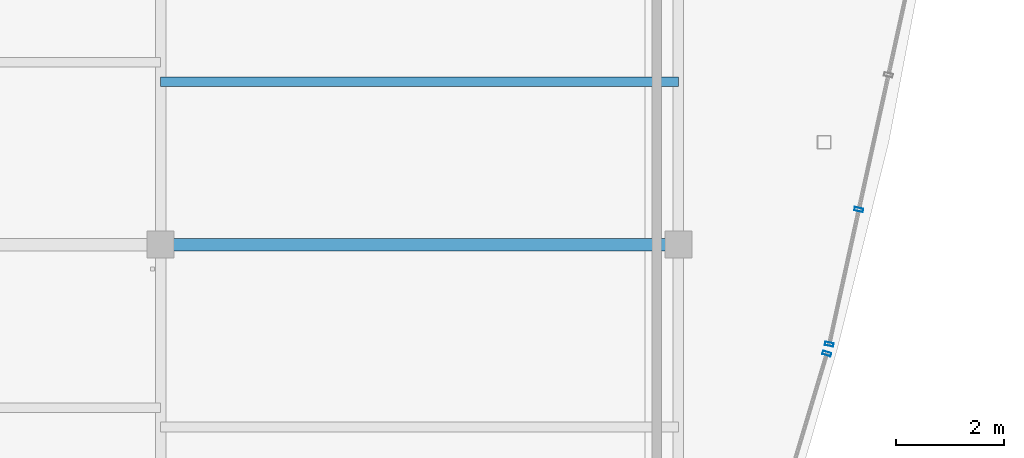
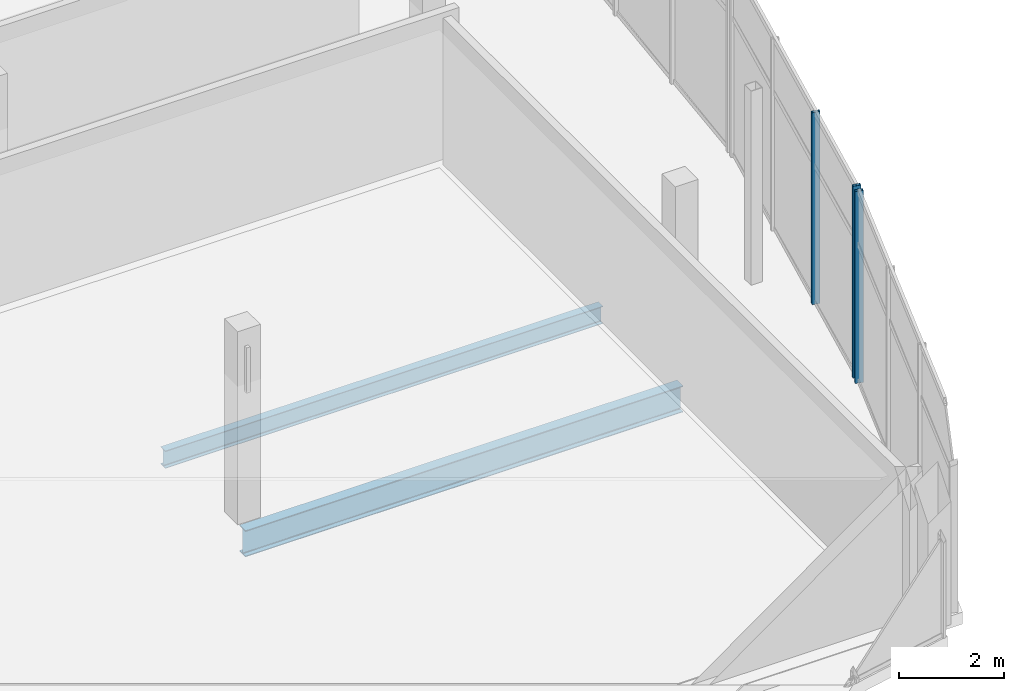
# One storey, part 62 of 114: 3 members, 2 beams, 2 elements without a shape of their own.
"""IFC4 building model written with IfcOpenShell, lengths in metres."""

import ifcopenshell
import ifcopenshell.guid

model = None  # the IFC model being written
_history = None  # IfcOwnerHistory: only IFC2X3 demands one
_inside = {}  # id of a spatial element -> (the spatial element, [elements in it])
_under = {}  # id of a project, library or spatial element -> (it, [spatial elements below it])
_declared = {}  # id of a project -> (the project, [libraries it declares])
_typed = {}  # id of a type object -> (the type object, [elements of that type])
_made_of = {}  # id of a material, layer set ... -> (it, [elements and type objects made of it])


def new_model(schema):
    """Start an empty IFC model of exactly this schema.

    Asked for "IFC4X3", IfcOpenShell would pick the latest addendum, in which some entities
    have other attributes; the version numbers below select the first issue.
    IFC2X3 requires an IfcOwnerHistory on every rooted entity: one is made here for all.
    """
    global model, _history
    if schema == "IFC4X3":
        model = ifcopenshell.file(schema_version=(4, 3, 0, 0))
    else:
        model = ifcopenshell.file(schema=schema)
    _inside.clear()
    _under.clear()
    _declared.clear()
    _typed.clear()
    _made_of.clear()
    _history = None
    if model.schema == "IFC2X3":
        org = make("IfcOrganization", Name="unknown")
        user = make(
            "IfcPersonAndOrganization",
            ThePerson=make("IfcPerson", FamilyName="unknown"),
            TheOrganization=org,
        )
        app = make(
            "IfcApplication",
            ApplicationDeveloper=org,
            Version="unknown",
            ApplicationFullName="unknown",
            ApplicationIdentifier="unknown",
        )
        _history = make(
            "IfcOwnerHistory",
            OwningUser=user,
            OwningApplication=app,
            ChangeAction="ADDED",
            CreationDate=0,
        )
    return model


def make(cls, **values):
    """One entity of the class cls with the attributes given. An attribute that is None is left unset."""
    return model.create_entity(
        cls, **{name: value for name, value in values.items() if value is not None}
    )


def rooted(cls, **values):
    """An entity with a GlobalId (a new one), such as an element, a storey or a relation."""
    return make(cls, GlobalId=ifcopenshell.guid.new(), OwnerHistory=_history, **values)


def si_unit(unit_type, name, prefix=None):
    """IfcSIUnit, for example si_unit("LENGTHUNIT", "METRE", prefix="MILLI")."""
    return make("IfcSIUnit", UnitType=unit_type, Prefix=prefix, Name=name)


def assignment(units):
    """IfcUnitAssignment: the units of a project."""
    return None if units is None else make("IfcUnitAssignment", Units=units)


def point(xyz):
    """IfcCartesianPoint."""
    return None if xyz is None else make("IfcCartesianPoint", Coordinates=xyz)


def direction(xyz):
    """IfcDirection."""
    return None if xyz is None else make("IfcDirection", DirectionRatios=xyz)


def frame(location, z_axis=None, x_axis=None):
    """IfcAxis2Placement3D, a coordinate frame: its origin and axes. An axis left out is left unset."""
    return make(
        "IfcAxis2Placement3D",
        Location=point(location),
        Axis=direction(z_axis),
        RefDirection=direction(x_axis),
    )


def frame_2d(location, x_axis=None):
    """IfcAxis2Placement2D, a coordinate frame in the plane: its origin and x axis."""
    return make(
        "IfcAxis2Placement2D", Location=point(location), RefDirection=direction(x_axis)
    )


def origin():
    """The frame at (0, 0, 0) with its axes left unset."""
    return frame((0.0, 0.0, 0.0))


def origin_2d():
    """The frame at (0, 0) in the plane with its x axis left unset."""
    return frame_2d((0.0, 0.0))


def place(relative_to, where):
    """IfcLocalPlacement: puts the frame where relative to a parent placement (None: the world)."""
    return make(
        "IfcLocalPlacement", PlacementRelTo=relative_to, RelativePlacement=where
    )


def context(
    kind, dimensions, precision=None, world=None, true_north=None, identifier=None
):
    """IfcGeometricRepresentationContext, for example the 3D "Model" context."""
    return make(
        "IfcGeometricRepresentationContext",
        ContextIdentifier=identifier,
        ContextType=kind,
        CoordinateSpaceDimension=dimensions,
        Precision=precision,
        WorldCoordinateSystem=world,
        TrueNorth=true_north,
    )


def subcontext(parent, identifier, kind, view, scale=None):
    """IfcGeometricRepresentationSubContext, for example "Body" below "Model"."""
    return make(
        "IfcGeometricRepresentationSubContext",
        ContextIdentifier=identifier,
        ContextType=kind,
        ParentContext=parent,
        TargetScale=scale,
        TargetView=view,
    )


def project(units=None, contexts=None):
    """IfcProject with its units and contexts."""
    return rooted(
        "IfcProject",
        Name="project",
        RepresentationContexts=contexts,
        UnitsInContext=assignment(units),
    )


def spatial(cls, under=None, at=None, **own):
    """A site, building, storey or space (cls), placed at a placement, below another one or the project."""
    s = rooted(cls, ObjectPlacement=at, **own)
    if under is not None:
        _under.setdefault(under.id(), (under, []))[1].append(s)
    return s


def profile(cls, at=None, kind="AREA", **sizes):
    """A parametric profile (cls). Its sizes go by their IFC names, for example OverallWidth=200.0."""
    return make(cls, ProfileType=kind, Position=at, **sizes)


def hollow_rectangle(**sizes):
    """IfcRectangleHollowProfileDef."""
    return profile("IfcRectangleHollowProfileDef", **sizes)


def i_section(**sizes):
    """IfcIShapeProfileDef."""
    return profile("IfcIShapeProfileDef", **sizes)


def extrude(swept, where, along, depth):
    """IfcExtrudedAreaSolid: the profile swept, set in the frame where, extruded along a direction by depth."""
    return make(
        "IfcExtrudedAreaSolid",
        SweptArea=swept,
        Position=where,
        ExtrudedDirection=direction(along),
        Depth=depth,
    )


def shape(context_of_items, identifier, shape_type, items):
    """IfcShapeRepresentation: the items that make up one representation, for example the "Body"."""
    return make(
        "IfcShapeRepresentation",
        ContextOfItems=context_of_items,
        RepresentationIdentifier=identifier,
        RepresentationType=shape_type,
        Items=items,
    )


def material(Name=None, Category=None):
    """IfcMaterial."""
    return make("IfcMaterial", Name=Name, Category=Category)


def layer(
    of_material, thickness, ventilated=None, Name=None, Category=None, Priority=None
):
    """IfcMaterialLayer: one layer of a wall or slab, of a material (None: an air gap)."""
    return make(
        "IfcMaterialLayer",
        Material=of_material,
        LayerThickness=thickness,
        IsVentilated=ventilated,
        Name=Name,
        Category=Category,
        Priority=Priority,
    )


def layer_set(layers, Name=None):
    """IfcMaterialLayerSet."""
    return make("IfcMaterialLayerSet", MaterialLayers=layers, LayerSetName=Name)


def material_profile(
    of_material, cross_section, Name=None, Category=None, Priority=None
):
    """IfcMaterialProfile: a cross section and its material."""
    return make(
        "IfcMaterialProfile",
        Name=Name,
        Material=of_material,
        Profile=cross_section,
        Priority=Priority,
        Category=Category,
    )


def profile_set(profiles, Name=None, composite=None):
    """IfcMaterialProfileSet."""
    return make(
        "IfcMaterialProfileSet",
        Name=Name,
        MaterialProfiles=profiles,
        CompositeProfile=composite,
    )


def made_of(thing, what):
    """Note that an element or type object is made of a material, layer set ...; save() writes the relation."""
    if what is not None:
        _made_of.setdefault(what.id(), (what, []))[1].append(thing)
    return thing


def type_object(cls, material=None, **own):
    """A type object (cls), such as IfcWallType, which elements share."""
    return made_of(rooted(cls, **own), material)


def element(
    cls,
    number,
    at=None,
    inside=None,
    cuts=None,
    type_object=None,
    material=None,
    context=None,
    identifier="Body",
    shape_type=None,
    held_by="IfcProductDefinitionShape",
    body=None,
    shapes=None,
    **own,
):
    """One element of the class cls, such as IfcWall. Its Tag is "e" and its number.

    at: its placement. inside: the storey or other place that contains it. cuts: it is an
    opening in that element (IfcRelVoidsElement). A single representation is given by context,
    identifier, shape_type and body (its items); several are given by shapes. held_by: the class
    of the entity that holds the representations. save() writes the other relations.
    """
    e = rooted(cls, Tag="e%d" % number, ObjectPlacement=at, **own)
    if body is not None:
        shapes = [shape(context, identifier, shape_type, body)]
    if shapes is not None:
        e.Representation = make(held_by, Representations=shapes)
    if inside is not None:
        _inside.setdefault(inside.id(), (inside, []))[1].append(e)
    if cuts is not None:
        rooted(
            "IfcRelVoidsElement", RelatingBuildingElement=cuts, RelatedOpeningElement=e
        )
    if type_object is not None:
        _typed.setdefault(type_object.id(), (type_object, []))[1].append(e)
    return made_of(e, material)


def aggregate(whole, parts):
    """IfcRelAggregates: a whole, such as a stair, and the parts it consists of."""
    return rooted("IfcRelAggregates", RelatingObject=whole, RelatedObjects=parts)


def save(model, path):
    """Write the relations noted so far, then the file.

    IfcRelAggregates (storeys below a building ...), IfcRelContainedInSpatialStructure (elements
    in a storey), IfcRelDefinesByType, IfcRelAssociatesMaterial and IfcRelDeclares: one each for
    every whole, place, type object, material and project.
    """
    for whole, parts in _under.values():
        aggregate(whole, parts)
    for where, things in _inside.values():
        rooted(
            "IfcRelContainedInSpatialStructure",
            RelatedElements=things,
            RelatingStructure=where,
        )
    for kind, things in _typed.values():
        rooted("IfcRelDefinesByType", RelatedObjects=things, RelatingType=kind)
    for what, things in _made_of.values():
        rooted("IfcRelAssociatesMaterial", RelatedObjects=things, RelatingMaterial=what)
    for by, libraries in _declared.values():
        rooted("IfcRelDeclares", RelatingContext=by, RelatedDefinitions=libraries)
    model.write(path)


model = new_model("IFC4")

# Units and contexts
model_context = context("Model", 3, precision=1e-05, world=origin(), true_north=direction((0.0, 1.0)))
body_context = subcontext(model_context, "Body", "Model", "MODEL_VIEW")
ifc_project = project(units=[si_unit("LENGTHUNIT", "METRE"), si_unit("AREAUNIT", "SQUARE_METRE"), si_unit("VOLUMEUNIT", "CUBIC_METRE"), si_unit("PLANEANGLEUNIT", "RADIAN"), si_unit("MASSUNIT", "GRAM", prefix="KILO")], contexts=[model_context])

# Site, building, storey
site_placement = place(None, origin())
site = spatial("IfcSite", under=ifc_project, at=site_placement, CompositionType="ELEMENT")
building_placement = place(site_placement, origin())
building = spatial("IfcBuilding", under=site, at=building_placement, Name="Chalmorin Arch Market", CompositionType="ELEMENT")
storey_placement = place(building_placement, frame((0.0, 0.0, 9.60009765625)))
storey = spatial("IfcBuildingStorey", under=building, at=storey_placement, Name="L02", CompositionType="ELEMENT", Elevation=9.60009765625)

# Curtain wall, member
ifc_material_1 = material(Name="Aluminium 6063-T6", Category="aluminium")
ifc_layer_1 = layer(ifc_material_1, 0.159912109375)
ifc_layer_set_1 = layer_set([ifc_layer_1], Name="Aluminium 6063-T6")
curtain_wall_type_1 = type_object("IfcCurtainWallType", Name="CulinaryStudioCurtainWall-CW3-7820x4450", PredefinedType="NOTDEFINED", material=ifc_layer_set_1)
curtain_wall_1_placement = place(storey_placement, origin())
curtain_wall_1 = element("IfcCurtainWall", 1, at=curtain_wall_1_placement, inside=storey, type_object=curtain_wall_type_1, Name="CW-03-180", PredefinedType="NOTDEFINED")
ifc_material_profile_1 = material_profile(ifc_material_1, hollow_rectangle(XDim=0.06494140625, YDim=0.159912109375, WallThickness=0.00390625, at=origin_2d()), Name="ALU65X160X4")
ifc_profile_set_1 = profile_set([ifc_material_profile_1], Name="Aluminium 6063-T6")
member_type = type_object("IfcMemberType", Name="CurtainWallMullion-65x160", PredefinedType="MULLION", material=ifc_profile_set_1)
member_1_placement = place(storey_placement, frame((117.9541015625, 79.580810546875, 0.0), z_axis=(0.0, 0.0, 1.0), x_axis=(0.292371704723, 0.956304755963, 0.0)))
member_1 = element("IfcMember", 2, at=member_1_placement, type_object=member_type, Name="ML-180-04", PredefinedType="MULLION", context=body_context, shape_type="SweptSolid", body=[
    extrude(hollow_rectangle(XDim=0.06494140625, YDim=0.159912109375, WallThickness=0.00390625, at=origin_2d()), origin(), (0.0, 0.0, 1.0), 4.449951171875),
])
aggregate(curtain_wall_1, [member_1])

# Curtain wall, members
ifc_layer_2 = layer(ifc_material_1, 0.159912109375)
ifc_layer_set_2 = layer_set([ifc_layer_2], Name="Aluminium 6063-T6")
curtain_wall_type_2 = type_object("IfcCurtainWallType", Name="CulinaryStudioCurtainWall-CW3-7670x4450", PredefinedType="NOTDEFINED", material=ifc_layer_set_2)
curtain_wall_2_placement = place(storey_placement, origin())
curtain_wall_2 = element("IfcCurtainWall", 3, at=curtain_wall_2_placement, inside=storey, type_object=curtain_wall_type_2, Name="CW-03-182", PredefinedType="NOTDEFINED")
member_2_placement = place(storey_placement, frame((117.999267578125, 79.7548828125, 0.0), z_axis=(0.0, 0.0, 1.0), x_axis=(0.207911690818, 0.978147600734, 0.0)))
member_2 = element("IfcMember", 4, at=member_2_placement, type_object=member_type, Name="ML-182-01", PredefinedType="MULLION", context=body_context, shape_type="SweptSolid", body=[
    extrude(hollow_rectangle(XDim=0.06494140625, YDim=0.159912109375, WallThickness=0.00390625, at=origin_2d()), origin(), (0.0, 0.0, 1.0), 4.449951171875),
])
member_3_placement = place(storey_placement, frame((118.5478515625, 82.251708984375, 0.0), z_axis=(0.0, 0.0, 1.0), x_axis=(0.207911690818, 0.978147600734, 0.0)))
member_3 = element("IfcMember", 5, at=member_3_placement, type_object=member_type, Name="ML-182-02", PredefinedType="MULLION", context=body_context, shape_type="SweptSolid", body=[
    extrude(hollow_rectangle(XDim=0.06494140625, YDim=0.159912109375, WallThickness=0.00390625, at=origin_2d()), origin(), (0.0, 0.0, 1.0), 4.449951171875),
])
aggregate(curtain_wall_2, [member_2, member_3])

# Beams
ifc_material_2 = material(Name="Steel A992 Grade 50", Category="steel")
ifc_material_profile_2 = material_profile(ifc_material_2, i_section(OverallWidth=0.22802734375, OverallDepth=0.60791015625, WebThickness=0.01123046875, FlangeThickness=0.017333984375, FilletRadius=0.02392578125, at=origin_2d()), Name="W24X76")
ifc_profile_set_2 = profile_set([ifc_material_profile_2], Name="Steel A992 Grade 50")
beam_type_1 = type_object("IfcBeamType", Name="PrimarySteelGirder-W24X76", PredefinedType="BEAM", material=ifc_profile_set_2)
beam_1_placement = place(storey_placement, frame((105.60009765625, 81.60009765625, -0.586181640625), z_axis=(1.0, 0.0, 0.0), x_axis=(0.0, 1.0, 0.0)))
element("IfcBeam", 6, at=beam_1_placement, inside=storey, type_object=beam_type_1, Name="BG-W24B-1291", PredefinedType="BEAM", context=body_context, shape_type="SweptSolid", body=[
    extrude(i_section(OverallWidth=0.22802734375, OverallDepth=0.60791015625, WebThickness=0.01123046875, FlangeThickness=0.017333984375, FilletRadius=0.02392578125, at=origin_2d()), origin(), (0.0, 0.0, 1.0), 9.599853515625),
])
ifc_material_profile_3 = material_profile(ifc_material_2, i_section(OverallWidth=0.177978515625, OverallDepth=0.403076171875, WebThickness=0.007568359375, FlangeThickness=0.010986328125, FilletRadius=0.01806640625, at=origin_2d()), Name="W16X36")
ifc_profile_set_3 = profile_set([ifc_material_profile_3], Name="Steel A992 Grade 50")
beam_type_2 = type_object("IfcBeamType", Name="SecondaryFloorJoist-W16X36", PredefinedType="JOIST", material=ifc_profile_set_3)
beam_2_placement = place(storey_placement, frame((105.60009765625, 84.6201171875, -0.483642578125), z_axis=(1.0, 0.0, 0.0), x_axis=(0.0, 1.0, 0.0)))
element("IfcBeam", 7, at=beam_2_placement, inside=storey, type_object=beam_type_2, Name="BJ-W16B-1355", PredefinedType="JOIST", context=body_context, shape_type="SweptSolid", body=[
    extrude(i_section(OverallWidth=0.177978515625, OverallDepth=0.403076171875, WebThickness=0.007568359375, FlangeThickness=0.010986328125, FilletRadius=0.01806640625, at=origin_2d()), origin(), (0.0, 0.0, 1.0), 9.599853515625),
])

save(model, "model.ifc")
